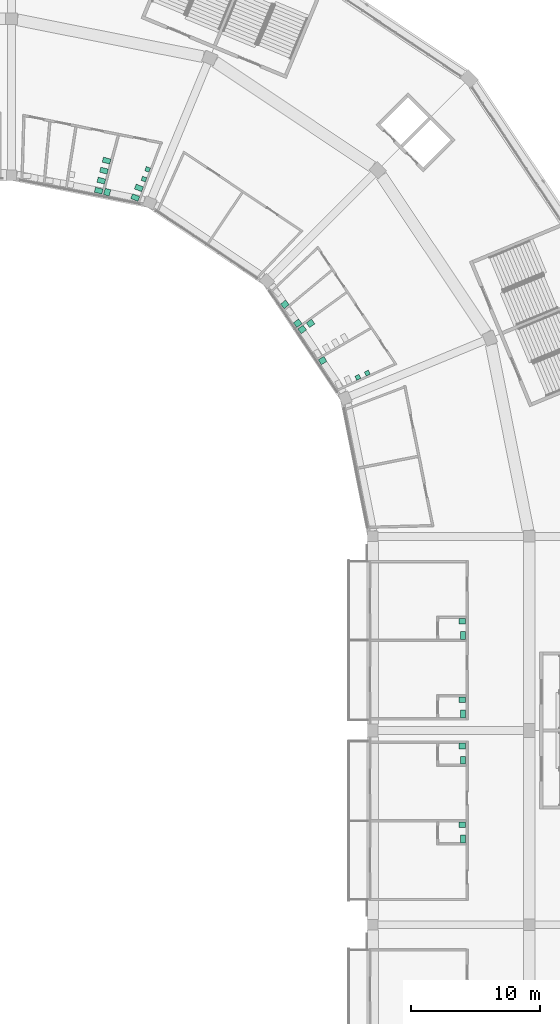
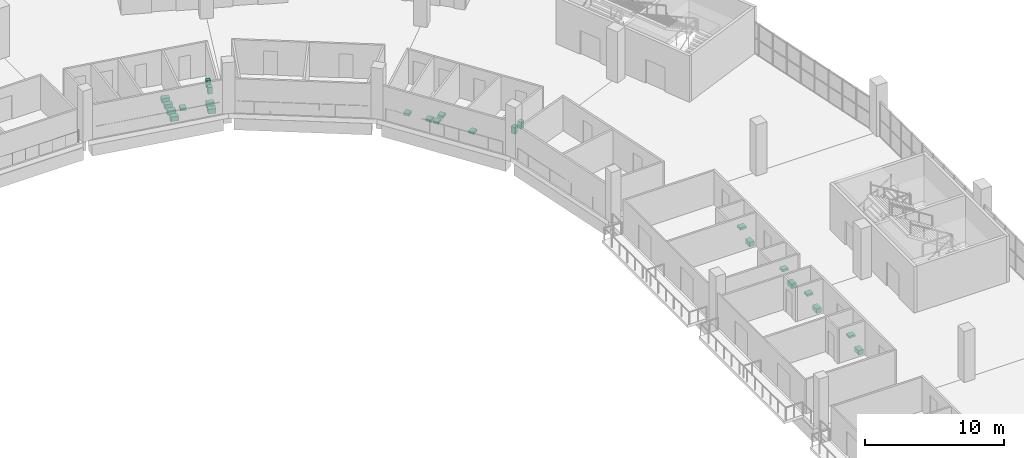
# One storey, part 199 of 199: 24 sanitary terminals.
"""IFC4 building model written with IfcOpenShell, lengths in metres."""

from ifc_helpers import new_model, si_unit, direction, frame, origin, origin_2d, place, context, subcontext, project, spatial, rectangle, extrude, material, type_object, element, save


model = new_model("IFC4")

# Units and contexts
model_context = context("Model", 3, precision=1e-05, world=origin(), true_north=direction((0.0, 1.0)))
body_context = subcontext(model_context, "Body", "Model", "MODEL_VIEW")
ifc_project = project(units=[si_unit("LENGTHUNIT", "METRE"), si_unit("AREAUNIT", "SQUARE_METRE"), si_unit("VOLUMEUNIT", "CUBIC_METRE"), si_unit("PLANEANGLEUNIT", "RADIAN"), si_unit("MASSUNIT", "GRAM", prefix="KILO")], contexts=[model_context])

# Site, building, storey
site_placement = place(None, origin())
site = spatial("IfcSite", under=ifc_project, at=site_placement, CompositionType="ELEMENT")
building_placement = place(site_placement, origin())
building = spatial("IfcBuilding", under=site, at=building_placement, Name="Ogive Plaza Stadium", CompositionType="ELEMENT")
storey_placement = place(building_placement, frame((0.0, 0.0, 9.0)))
storey = spatial("IfcBuildingStorey", under=building, at=storey_placement, Name="L02", CompositionType="ELEMENT", Elevation=9.0)

# Sanitary terminals
ifc_material_1 = material(Name="Vitreous china", Category="ceramic")
sanitary_terminal_type_1 = type_object("IfcSanitaryTerminalType", Name="Lavatory", PredefinedType="WASHHANDBASIN", material=ifc_material_1)
for number, where, z_axis, x_axis, name in (
    (1, (41.388427734375, 79.09521484375, 0.7998046875), (0.0, 0.0, 1.0), (0.259808508097, 0.965660157157, 0.0), "Lavatory L02-133"),
    (2, (58.030029296875, 66.081298828125, 0.7998046875), (0.0, 0.0, 1.0), (0.866537203333, 0.499112487562, 0.0), "Lavatory L02-139"),
    (3, (56.451416015625, 68.487060546875, 0.7998046875), (0.0, 0.0, 1.0), (0.809823597544, 0.586673453346, 0.0), "Lavatory L02-140"),
    (4, (57.099365234375, 68.956298828125, 0.7998046875), (0.0, 0.0, 1.0), (0.809823597544, 0.586673453346, 0.0), "Lavatory L02-140"),
    (5, (68.824951171875, 39.875, 0.7998046875), (0.0, 0.0, 1.0), (-1.0, 0.0, 0.0), "Lavatory L02-003"),
    (6, (68.824951171875, 45.949951171875, 0.7998046875), (0.0, 0.0, 1.0), (-1.0, 0.0, 0.0), "Lavatory L02-005"),
    (7, (68.824951171875, 36.300048828125, 0.7998046875), (0.0, 0.0, 1.0), (-1.0, 0.0, 0.0), "Lavatory L02-009"),
    (8, (68.824951171875, 30.22509765625, 0.7998046875), (0.0, 0.0, 1.0), (-1.0, 0.0, 0.0), "Lavatory L02-011"),
    (9, (56.10888671875, 68.966796875, 0.7998046875), (0.0, 0.0, 1.0), (0.806846909124, 0.590760581993, 0.0), "Lavatory L02-141"),
    (10, (55.11669921875, 70.423583984375, 0.7998046875), (0.0, 0.0, 1.0), (0.767629559971, 0.640893796708, 0.0), "Lavatory L02-142"),
):
    element("IfcSanitaryTerminal", number, at=place(storey_placement, frame(where, z_axis=z_axis, x_axis=x_axis)), inside=storey, type_object=sanitary_terminal_type_1, Name=name, PredefinedType="WASHHANDBASIN", context=body_context, shape_type="SweptSolid", body=[
        extrude(rectangle(XDim=0.5, YDim=0.449951171875, at=origin_2d()), origin(), (0.0, 0.0, 1.0), 0.199951171875),
    ])
ifc_material_2 = material(Name="Vitreous china", Category="ceramic")
sanitary_terminal_type_2 = type_object("IfcSanitaryTerminalType", Name="Urinal", PredefinedType="URINAL", material=ifc_material_2)
for number, where, z_axis, x_axis, name in (
    (11, (44.230224609375, 80.10498046875, 0.599853515625), (0.0, 0.0, 1.0), (0.353065012759, 0.93559879049, 0.0), "Urinal L02-133"),
    (12, (44.5126953125, 80.853515625, 0.599853515625), (0.0, 0.0, 1.0), (0.353065012759, 0.93559879049, 0.0), "Urinal L02-133"),
    (13, (60.75341796875, 64.785888671875, 0.599853515625), (0.0, 0.0, 1.0), (0.911222913947, 0.411913584504, 0.0), "Urinal L02-139"),
    (14, (61.482421875, 65.115478515625, 0.599853515625), (0.0, 0.0, 1.0), (0.911222913947, 0.411913584504, 0.0), "Urinal L02-139"),
):
    element("IfcSanitaryTerminal", number, at=place(storey_placement, frame(where, z_axis=z_axis, x_axis=x_axis)), inside=storey, type_object=sanitary_terminal_type_2, Name=name, PredefinedType="URINAL", context=body_context, shape_type="SweptSolid", body=[
        extrude(rectangle(XDim=0.35009765625, YDim=0.35009765625, at=origin_2d()), origin(), (0.0, 0.0, 1.0), 0.60009765625),
    ])
ifc_material_3 = material(Name="Vitreous china", Category="ceramic")
sanitary_terminal_type_3 = type_object("IfcSanitaryTerminalType", Name="Water closet", PredefinedType="TOILETPAN", material=ifc_material_3)
for number, where, z_axis, x_axis, name in (
    (15, (43.55712890625, 78.675537109375, 0.0), (0.0, 0.0, 1.0), (0.353065012759, 0.93559879049, 0.0), "Water closet L02-133"),
    (16, (43.839599609375, 79.424072265625, 0.0), (0.0, 0.0, 1.0), (0.353065012759, 0.93559879049, 0.0), "Water closet L02-133"),
    (17, (40.7314453125, 79.209228515625, 0.0), (0.0, 0.0, 1.0), (0.254934432422, 0.966958342001, 0.0), "Water closet L02-134"),
    (18, (40.935546875, 79.98291015625, 0.0), (0.0, 0.0, 1.0), (0.254934432422, 0.966958342001, 0.0), "Water closet L02-134"),
    (19, (41.139404296875, 80.75634765625, 0.0), (0.0, 0.0, 1.0), (0.254934432422, 0.966958342001, 0.0), "Water closet L02-134"),
    (20, (41.343505859375, 81.52978515625, 0.0), (0.0, 0.0, 1.0), (0.254934432422, 0.966958342001, 0.0), "Water closet L02-134"),
    (21, (68.875, 38.77490234375, 0.0), (0.0, 0.0, 1.0), (-1.0, 0.0, 0.0), "Water closet L02-003"),
    (22, (68.875, 44.85009765625, 0.0), (0.0, 0.0, 1.0), (-1.0, 0.0, 0.0), "Water closet L02-005"),
    (23, (68.875, 35.199951171875, 0.0), (0.0, 0.0, 1.0), (-1.0, 0.0, 0.0), "Water closet L02-009"),
    (24, (68.875, 29.125, 0.0), (0.0, 0.0, 1.0), (-1.0, 0.0, 0.0), "Water closet L02-011"),
):
    element("IfcSanitaryTerminal", number, at=place(storey_placement, frame(where, z_axis=z_axis, x_axis=x_axis)), inside=storey, type_object=sanitary_terminal_type_3, Name=name, PredefinedType="TOILETPAN", context=body_context, shape_type="SweptSolid", body=[
        extrude(rectangle(XDim=0.39990234375, YDim=0.60009765625, at=origin_2d()), origin(), (0.0, 0.0, 1.0), 0.39990234375),
    ])

save(model, "model.ifc")
